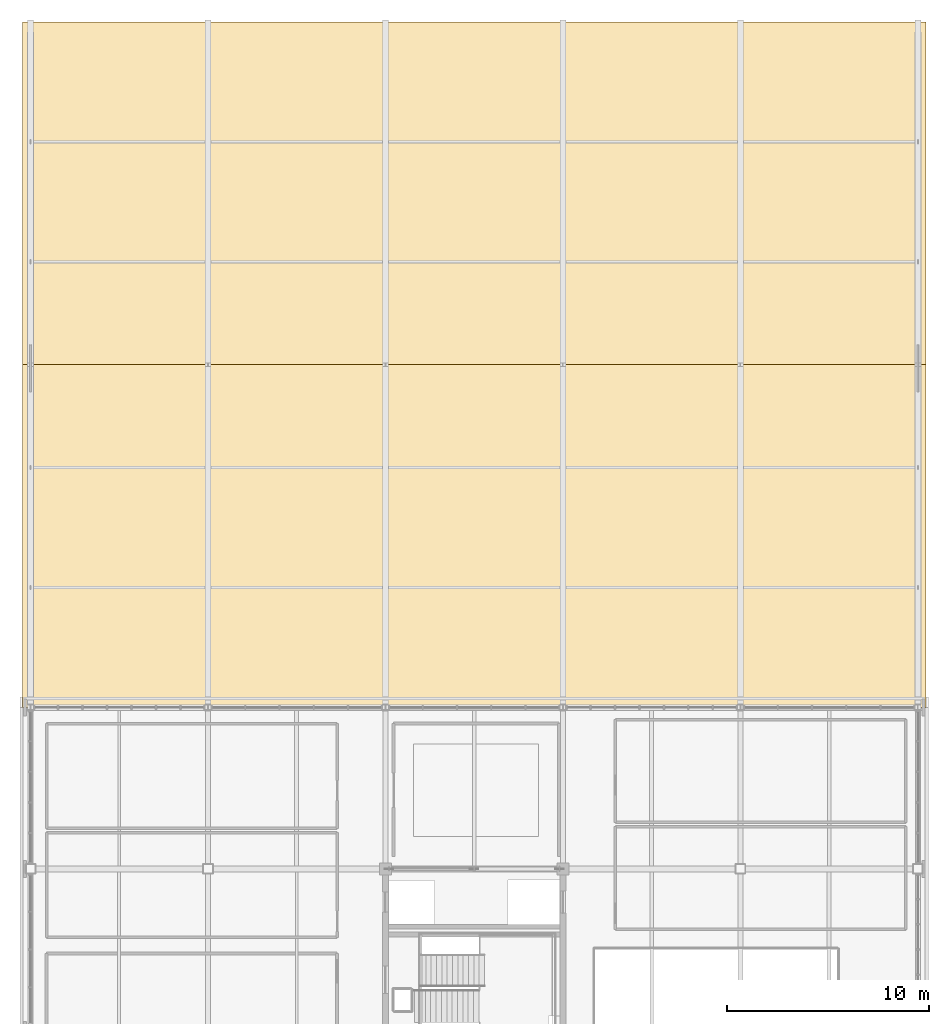
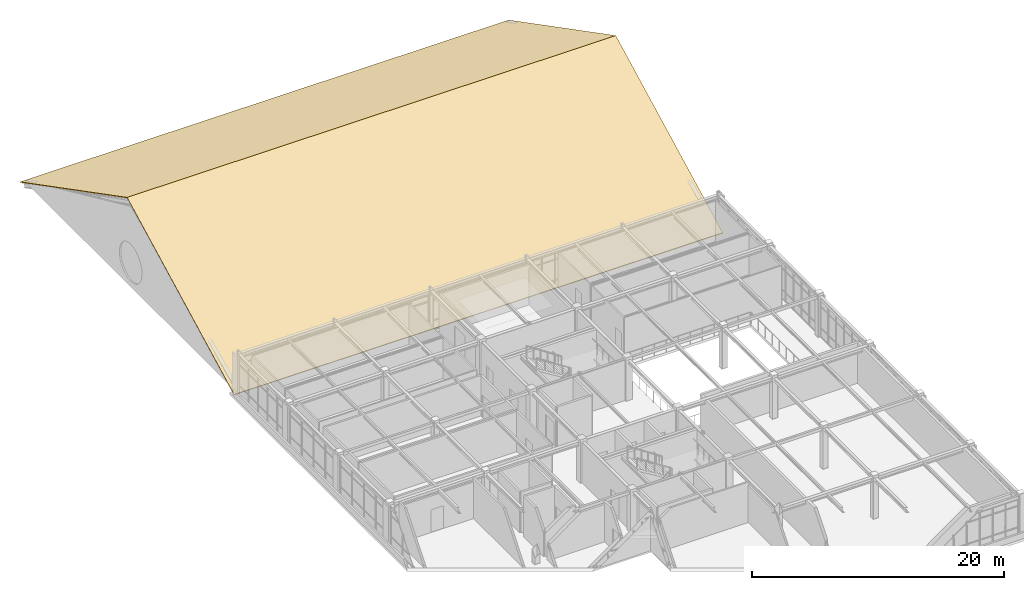
# One storey, part 45 of 45: 2 coverings.
"""IFC4 building model written with IfcOpenShell, lengths in metres."""

from ifc_helpers import new_model, si_unit, direction, frame, origin, place, context, subcontext, project, spatial, polyline, outline, extrude, material, layer, layer_set, type_object, element, save


model = new_model("IFC4")

# Units and contexts
model_context = context("Model", 3, precision=1e-05, world=origin(), true_north=direction((0.0, 1.0)))
body_context = subcontext(model_context, "Body", "Model", "MODEL_VIEW")
ifc_project = project(units=[si_unit("LENGTHUNIT", "METRE"), si_unit("AREAUNIT", "SQUARE_METRE"), si_unit("VOLUMEUNIT", "CUBIC_METRE"), si_unit("PLANEANGLEUNIT", "RADIAN"), si_unit("MASSUNIT", "GRAM", prefix="KILO")], contexts=[model_context])

# Site, building, storey
site_placement = place(None, origin())
site = spatial("IfcSite", under=ifc_project, at=site_placement, CompositionType="ELEMENT")
building_placement = place(site_placement, origin())
building = spatial("IfcBuilding", under=site, at=building_placement, Name="Zhaolan Boulevard Law Courts", CompositionType="ELEMENT")
storey_placement = place(building_placement, frame((0.0, 0.0, 24.60009765625)))
storey = spatial("IfcBuildingStorey", under=building, at=storey_placement, Name="L05", CompositionType="ELEMENT", Elevation=24.60009765625)

# Coverings
ifc_material = material(Name="Pale mist-grey standing-seam Al-Mg-Mn zinc-titanium")
ifc_layer = layer(ifc_material, 0.054931640625)
ifc_layer_set = layer_set([ifc_layer])
covering_type = type_object("IfcCoveringType", Name="STANDING SEAM ROOFING 55", PredefinedType="ROOFING", material=ifc_layer_set)
covering_1_placement = place(storey_placement, frame((-0.39990234375, 78.0, 0.06494140625), z_axis=(1.0, 0.0, 0.0), x_axis=(0.0, 1.0, 0.0)))
element("IfcCovering", 1, at=covering_1_placement, inside=storey, type_object=covering_type, Name="Standing-Seam Metal Gable Roof Sheet SSR-034", PredefinedType="ROOFING", context=body_context, shape_type="SweptSolid", body=[
    extrude(outline(polyline([(0.0, 0.0), (17.0, 8.800048828125), (17.0, 8.738037109375), (0.0, -0.06201171875), (0.0, 0.0)])), origin(), (0.0, 0.0, 1.0), 44.800048828125),
])
covering_2_placement = place(storey_placement, frame((-0.39990234375, 95.0, 0.06494140625), z_axis=(1.0, 0.0, 0.0), x_axis=(0.0, 1.0, 0.0)))
element("IfcCovering", 2, at=covering_2_placement, inside=storey, type_object=covering_type, Name="Standing-Seam Metal Gable Roof Sheet SSR-035", PredefinedType="ROOFING", context=body_context, shape_type="SweptSolid", body=[
    extrude(outline(polyline([(0.0, 8.800048828125), (17.0, 0.0), (17.0, -0.06201171875), (0.0, 8.738037109375), (0.0, 8.800048828125)])), origin(), (0.0, 0.0, 1.0), 44.800048828125),
])

save(model, "model.ifc")
